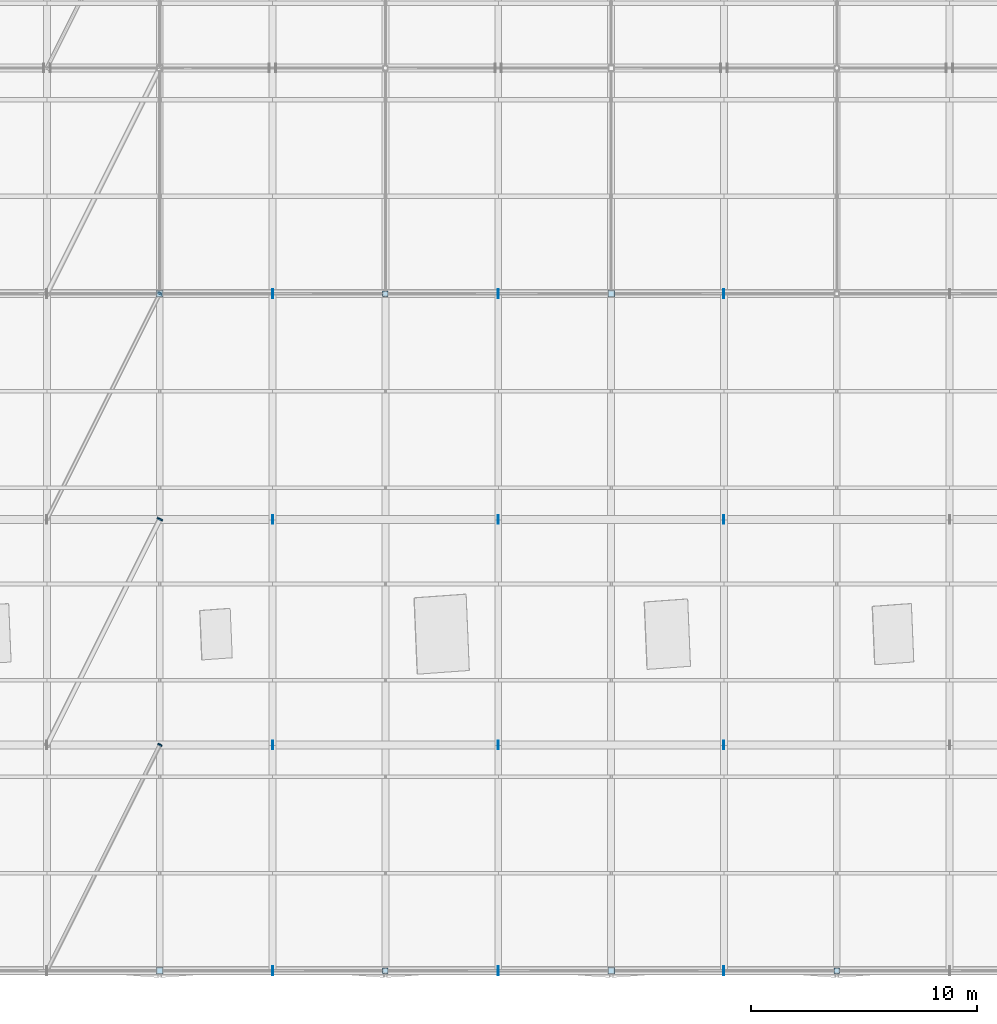
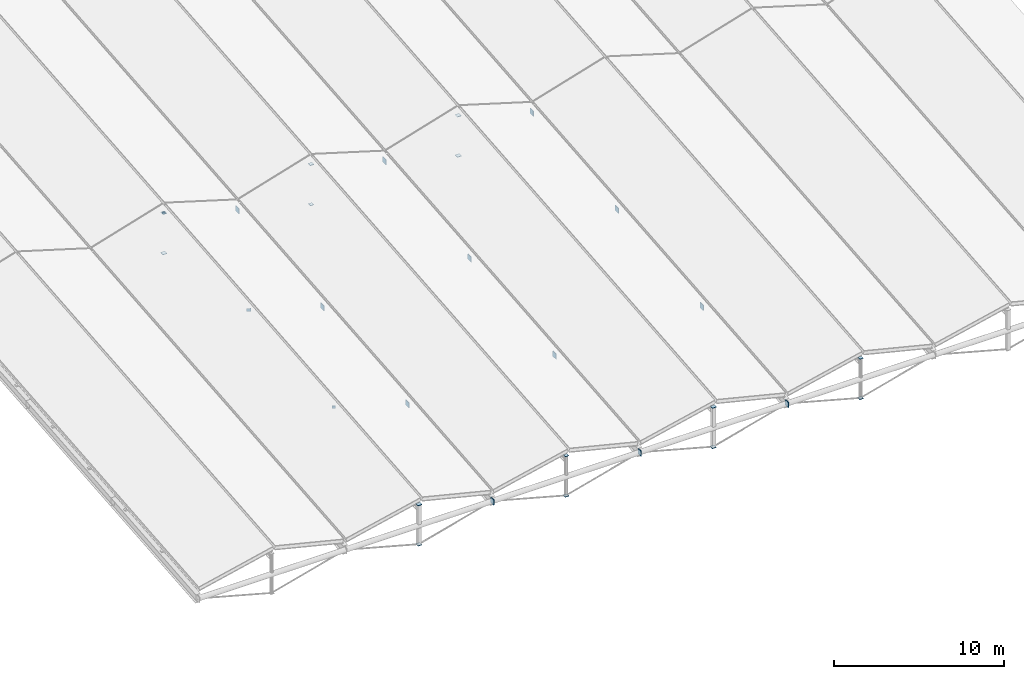
# One storey, part 80 of 90: 29 plates.
"""IFC4 building model written with IfcOpenShell, lengths in metres."""

from ifc_helpers import new_model, si_unit, direction, frame, origin, origin_2d, place, context, subcontext, project, spatial, rectangle, extrude, material, layer, layer_set, type_object, element, save


model = new_model("IFC4")

# Units and contexts
model_context = context("Model", 3, precision=1e-05, world=origin(), true_north=direction((0.0, 1.0)))
body_context = subcontext(model_context, "Body", "Model", "MODEL_VIEW")
ifc_project = project(units=[si_unit("LENGTHUNIT", "METRE"), si_unit("AREAUNIT", "SQUARE_METRE"), si_unit("VOLUMEUNIT", "CUBIC_METRE"), si_unit("PLANEANGLEUNIT", "RADIAN"), si_unit("MASSUNIT", "GRAM", prefix="KILO"), si_unit("THERMODYNAMICTEMPERATUREUNIT", "KELVIN"), si_unit("POWERUNIT", "WATT")], contexts=[model_context])

# Site, building, storey
site_placement = place(None, origin())
site = spatial("IfcSite", under=ifc_project, at=site_placement, CompositionType="ELEMENT")
building_placement = place(site_placement, origin())
building = spatial("IfcBuilding", under=site, at=building_placement, Name="Korenveer Ferry Terminal", CompositionType="ELEMENT")
storey_placement = place(building_placement, frame((0.0, 0.0, 22.199951171875)))
storey = spatial("IfcBuildingStorey", under=building, at=storey_placement, Name="RF", CompositionType="ELEMENT", Elevation=22.199951171875)

# Plates
ifc_material = material(Name="Steel S355", Category="steel")
ifc_layer_1 = layer(ifc_material, 0.031982421875)
ifc_layer_set_1 = layer_set([ifc_layer_1], Name="Steel S355")
plate_type_1 = type_object("IfcPlateType", Name="STR-PLT-CAP32", PredefinedType="USERDEFINED", material=ifc_layer_set_1)
for number, where, z_axis, x_axis, name in (
    (1, (68.0, 20.0, -12.78369140625), (0.0, 0.0, 1.0), (1.0, 0.0, 0.0), "Hollow section end cap 273"),
    (2, (68.0, 20.0, -9.89208984375), (0.0, 0.0, 1.0), (1.0, 0.0, 0.0), "Hollow section end cap 274"),
):
    element("IfcPlate", number, at=place(storey_placement, frame(where, z_axis=z_axis, x_axis=x_axis)), inside=storey, type_object=plate_type_1, Name=name, ObjectType="END CAP PLATE", PredefinedType="USERDEFINED", context=body_context, shape_type="SweptSolid", body=[
        extrude(rectangle(XDim=0.280029296875, YDim=0.280029296875, at=origin_2d()), origin(), (0.0, 0.0, 1.0), 0.031982421875),
    ])
for number, where, z_axis, x_axis, name in (
    (3, (78.0, 20.0, -12.78369140625), (0.0, 0.0, 1.0), (1.0, 0.0, 0.0), "Hollow section end cap 276"),
    (4, (78.0, 20.0, -9.89208984375), (0.0, 0.0, 1.0), (1.0, 0.0, 0.0), "Hollow section end cap 277"),
):
    element("IfcPlate", number, at=place(storey_placement, frame(where, z_axis=z_axis, x_axis=x_axis)), inside=storey, type_object=plate_type_1, Name=name, ObjectType="END CAP PLATE", PredefinedType="USERDEFINED", context=body_context, shape_type="SweptSolid", body=[
        extrude(rectangle(XDim=0.2490234375, YDim=0.2490234375, at=origin_2d()), origin(), (0.0, 0.0, 1.0), 0.031982421875),
    ])
for number, where, z_axis, x_axis, name in (
    (5, (88.0, 20.0, -12.78369140625), (0.0, 0.0, 1.0), (1.0, 0.0, 0.0), "Hollow section end cap 279"),
    (6, (88.0, 20.0, -9.89208984375), (0.0, 0.0, 1.0), (1.0, 0.0, 0.0), "Hollow section end cap 280"),
):
    element("IfcPlate", number, at=place(storey_placement, frame(where, z_axis=z_axis, x_axis=x_axis)), inside=storey, type_object=plate_type_1, Name=name, ObjectType="END CAP PLATE", PredefinedType="USERDEFINED", context=body_context, shape_type="SweptSolid", body=[
        extrude(rectangle(XDim=0.280029296875, YDim=0.280029296875, at=origin_2d()), origin(), (0.0, 0.0, 1.0), 0.031982421875),
    ])
for number, where, z_axis, x_axis, name in (
    (7, (98.0, 20.0, -12.78369140625), (0.0, 0.0, 1.0), (1.0, 0.0, 0.0), "Hollow section end cap 282"),
    (8, (98.0, 20.0, -9.89208984375), (0.0, 0.0, 1.0), (1.0, 0.0, 0.0), "Hollow section end cap 283"),
):
    element("IfcPlate", number, at=place(storey_placement, frame(where, z_axis=z_axis, x_axis=x_axis)), inside=storey, type_object=plate_type_1, Name=name, ObjectType="END CAP PLATE", PredefinedType="USERDEFINED", context=body_context, shape_type="SweptSolid", body=[
        extrude(rectangle(XDim=0.2490234375, YDim=0.2490234375, at=origin_2d()), origin(), (0.0, 0.0, 1.0), 0.031982421875),
    ])
for number, where, z_axis, x_axis, name in (
    (9, (68.0, 50.0, -10.0595703125), (0.0, 0.0, 1.0), (1.0, 0.0, 0.0), "Hollow section end cap 311"),
    (10, (68.0, 50.0, -7.16796875), (0.0, 0.0, 1.0), (1.0, 0.0, 0.0), "Hollow section end cap 312"),
):
    element("IfcPlate", number, at=place(storey_placement, frame(where, z_axis=z_axis, x_axis=x_axis)), inside=storey, type_object=plate_type_1, Name=name, ObjectType="END CAP PLATE", PredefinedType="USERDEFINED", context=body_context, shape_type="SweptSolid", body=[
        extrude(rectangle(XDim=0.280029296875, YDim=0.280029296875, at=origin_2d()), origin(), (0.0, 0.0, 1.0), 0.031982421875),
    ])
for number, where, z_axis, x_axis, name in (
    (11, (78.0, 50.0, -10.0595703125), (0.0, 0.0, 1.0), (1.0, 0.0, 0.0), "Hollow section end cap 314"),
    (12, (78.0, 50.0, -7.16796875), (0.0, 0.0, 1.0), (1.0, 0.0, 0.0), "Hollow section end cap 315"),
):
    element("IfcPlate", number, at=place(storey_placement, frame(where, z_axis=z_axis, x_axis=x_axis)), inside=storey, type_object=plate_type_1, Name=name, ObjectType="END CAP PLATE", PredefinedType="USERDEFINED", context=body_context, shape_type="SweptSolid", body=[
        extrude(rectangle(XDim=0.2490234375, YDim=0.2490234375, at=origin_2d()), origin(), (0.0, 0.0, 1.0), 0.031982421875),
    ])
for number, where, z_axis, x_axis, name in (
    (13, (88.0, 50.0, -10.0595703125), (0.0, 0.0, 1.0), (1.0, 0.0, 0.0), "Hollow section end cap 317"),
    (14, (88.0, 50.0, -7.16796875), (0.0, 0.0, 1.0), (1.0, 0.0, 0.0), "Hollow section end cap 318"),
):
    element("IfcPlate", number, at=place(storey_placement, frame(where, z_axis=z_axis, x_axis=x_axis)), inside=storey, type_object=plate_type_1, Name=name, ObjectType="END CAP PLATE", PredefinedType="USERDEFINED", context=body_context, shape_type="SweptSolid", body=[
        extrude(rectangle(XDim=0.280029296875, YDim=0.280029296875, at=origin_2d()), origin(), (0.0, 0.0, 1.0), 0.031982421875),
    ])
plate_1_placement = place(storey_placement, frame((68.0, 30.0, -8.98388671875), z_axis=(0.437110268059, 0.874220536117, 0.211360043028), x_axis=(-0.894427191, 0.4472135955, 0.0)))
element("IfcPlate", 15, at=plate_1_placement, inside=storey, type_object=plate_type_1, Name="Hollow section end cap 566", ObjectType="END CAP PLATE", PredefinedType="USERDEFINED", context=body_context, shape_type="SweptSolid", body=[
    extrude(rectangle(XDim=0.1982421875, YDim=0.1982421875, at=origin_2d()), origin(), (0.0, 0.0, 1.0), 0.031982421875),
])
plate_2_placement = place(storey_placement, frame((68.0, 40.0, -8.075927734375), z_axis=(0.437110268059, 0.874220536117, 0.211360043028), x_axis=(-0.894427191, 0.4472135955, 0.0)))
element("IfcPlate", 16, at=plate_2_placement, inside=storey, type_object=plate_type_1, Name="Hollow section end cap 568", ObjectType="END CAP PLATE", PredefinedType="USERDEFINED", context=body_context, shape_type="SweptSolid", body=[
    extrude(rectangle(XDim=0.2490234375, YDim=0.2490234375, at=origin_2d()), origin(), (0.0, 0.0, 1.0), 0.031982421875),
])
plate_3_placement = place(storey_placement, frame((68.0, 50.0, -7.16796875), z_axis=(0.437110268059, 0.874220536117, 0.211360043028), x_axis=(-0.894427191, 0.4472135955, 0.0)))
element("IfcPlate", 17, at=plate_3_placement, inside=storey, type_object=plate_type_1, Name="Hollow section end cap 569", ObjectType="END CAP PLATE", PredefinedType="USERDEFINED", context=body_context, shape_type="SweptSolid", body=[
    extrude(rectangle(XDim=0.1982421875, YDim=0.1982421875, at=origin_2d()), origin(), (0.0, 0.0, 1.0), 0.031982421875),
])
ifc_layer_2 = layer(ifc_material, 0.0419921875)
ifc_layer_set_2 = layer_set([ifc_layer_2], Name="Steel S355")
plate_type_2 = type_object("IfcPlateType", Name="STR-PLT-CAP42", PredefinedType="USERDEFINED", material=ifc_layer_set_2)
for number, where, z_axis, x_axis, name in (
    (18, (72.97998046875, 20.0, -11.401611328125), (1.0, 0.0, 0.0), (0.0, 1.0, 0.0), "Hollow section end cap 272"),
    (19, (82.97998046875, 20.0, -11.401611328125), (1.0, 0.0, 0.0), (0.0, 1.0, 0.0), "Hollow section end cap 275"),
    (20, (92.97998046875, 20.0, -11.401611328125), (1.0, 0.0, 0.0), (0.0, 1.0, 0.0), "Hollow section end cap 278"),
    (21, (72.97998046875, 30.0, -10.49365234375), (1.0, 0.0, 0.0), (0.0, 1.0, 0.0), "Hollow section end cap 292"),
    (22, (82.97998046875, 30.0, -10.49365234375), (1.0, 0.0, 0.0), (0.0, 1.0, 0.0), "Hollow section end cap 293"),
    (23, (92.97998046875, 30.0, -10.49365234375), (1.0, 0.0, 0.0), (0.0, 1.0, 0.0), "Hollow section end cap 294"),
    (24, (72.97998046875, 40.0, -9.585693359375), (1.0, 0.0, 0.0), (0.0, 1.0, 0.0), "Hollow section end cap 300"),
    (25, (82.97998046875, 40.0, -9.585693359375), (1.0, 0.0, 0.0), (0.0, 1.0, 0.0), "Hollow section end cap 301"),
    (26, (92.97998046875, 40.0, -9.585693359375), (1.0, 0.0, 0.0), (0.0, 1.0, 0.0), "Hollow section end cap 302"),
    (27, (72.97998046875, 50.0, -8.677734375), (1.0, 0.0, 0.0), (0.0, 1.0, 0.0), "Hollow section end cap 310"),
    (28, (82.97998046875, 50.0, -8.677734375), (1.0, 0.0, 0.0), (0.0, 1.0, 0.0), "Hollow section end cap 313"),
    (29, (92.97998046875, 50.0, -8.677734375), (1.0, 0.0, 0.0), (0.0, 1.0, 0.0), "Hollow section end cap 316"),
):
    element("IfcPlate", number, at=place(storey_placement, frame(where, z_axis=z_axis, x_axis=x_axis)), inside=storey, type_object=plate_type_2, Name=name, ObjectType="END CAP PLATE", PredefinedType="USERDEFINED", context=body_context, shape_type="SweptSolid", body=[
        extrude(rectangle(XDim=0.385498046875, YDim=0.385498046875, at=origin_2d()), origin(), (0.0, 0.0, 1.0), 0.0419921875),
    ])

save(model, "model.ifc")
